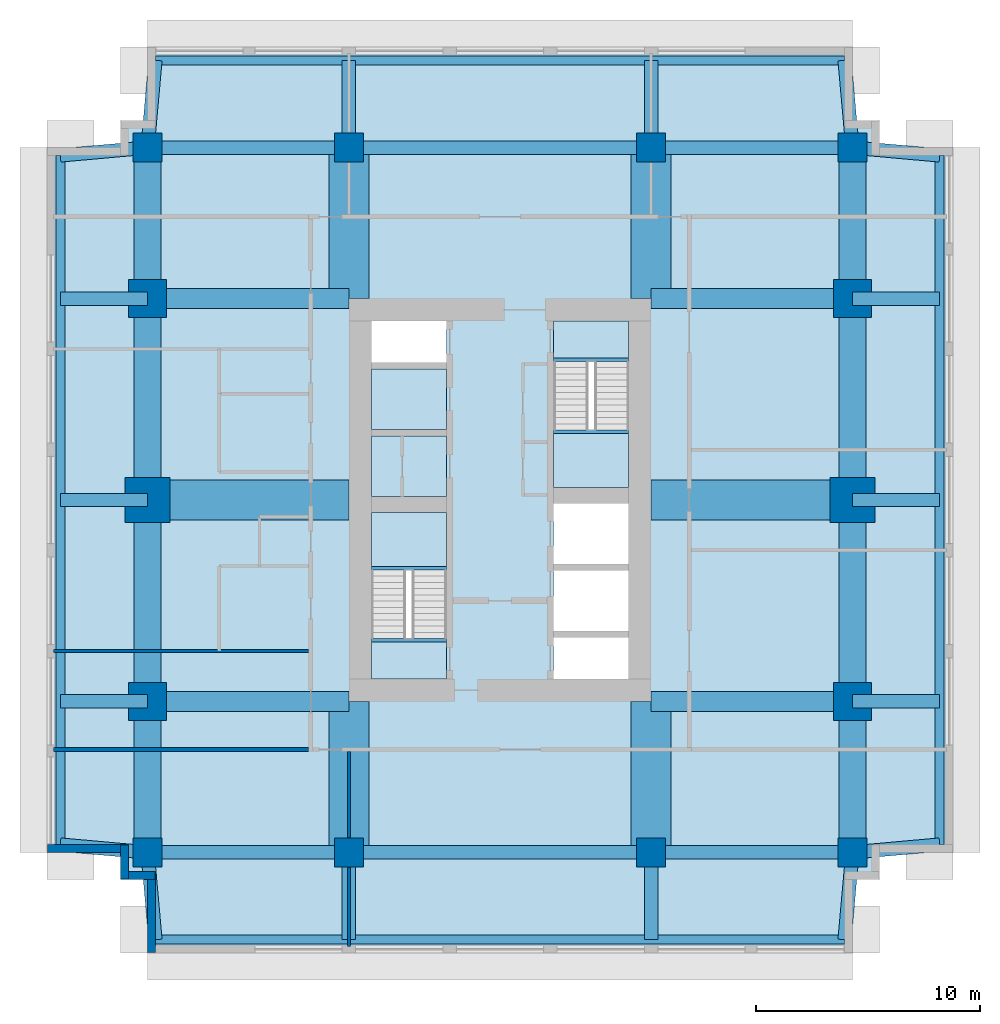
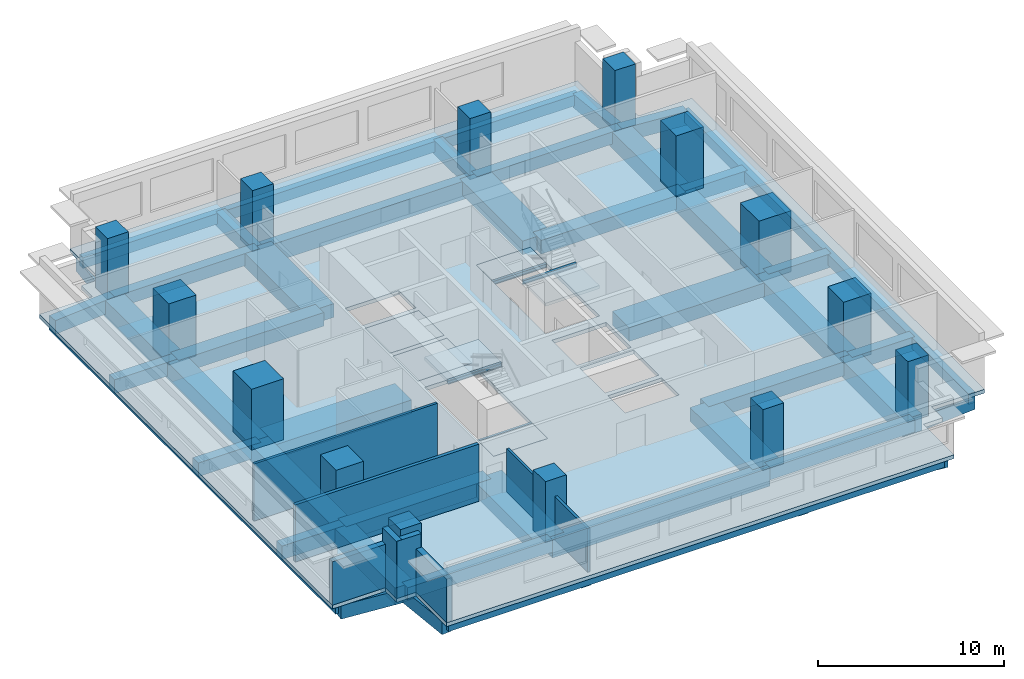
# One storey, part 1 of 5: 50 beams, 14 columns, 8 walls, 7 slabs, 2 elements without a shape of their own.
"""IFC4 building model written with IfcOpenShell, lengths in metres."""

from ifc_helpers import new_model, si_unit, direction, frame, frame_2d, origin, origin_2d, place, context, subcontext, project, spatial, polyline, rectangle, i_section, outline, extrude, material, layer, layer_set, material_profile, profile_set, type_object, element, aggregate, save


model = new_model("IFC4")

# Units and contexts
model_context = context("Model", 3, precision=1e-05, world=origin(), true_north=direction((0.0, 1.0)))
body_context = subcontext(model_context, "Body", "Model", "MODEL_VIEW")
ifc_project = project(units=[si_unit("LENGTHUNIT", "METRE"), si_unit("AREAUNIT", "SQUARE_METRE"), si_unit("VOLUMEUNIT", "CUBIC_METRE"), si_unit("PLANEANGLEUNIT", "RADIAN"), si_unit("MASSUNIT", "GRAM", prefix="KILO")], contexts=[model_context])

# Site, building, storey
site_placement = place(None, origin())
site = spatial("IfcSite", under=ifc_project, at=site_placement, CompositionType="ELEMENT")
building_placement = place(site_placement, origin())
building = spatial("IfcBuilding", under=site, at=building_placement, Name="Namib Vertical Campus", CompositionType="ELEMENT")
storey_placement = place(building_placement, frame((0.0, 0.0, 273.0)))
storey = spatial("IfcBuildingStorey", under=building, at=storey_placement, Name="L64", CompositionType="ELEMENT", Elevation=273.0)

# Columns
ifc_material_1 = material(Name="Concrete C60/75", Category="concrete")
ifc_material_profile_1 = material_profile(ifc_material_1, rectangle(XDim=1.300048828125, YDim=1.300048828125, at=origin_2d()))
ifc_profile_set_1 = profile_set([ifc_material_profile_1], Name="Concrete C60/75")
column_type_1 = type_object("IfcColumnType", Name="Column RC 1300x1300", PredefinedType="COLUMN", material=ifc_profile_set_1)
for number, where, z_axis, x_axis, name in (
    (1, (4.5, 4.5, 0.0), (0.0, 0.0, 1.0), (1.0, 0.0, 0.0), "Column C130 L64"),
    (2, (13.5, 4.5, 0.0), (0.0, 0.0, 1.0), (1.0, 0.0, 0.0), "Column C130 L64"),
    (3, (27.0, 4.5, 0.0), (0.0, 0.0, 1.0), (1.0, 0.0, 0.0), "Column C130 L64"),
    (4, (36.0, 4.5, 0.0), (0.0, 0.0, 1.0), (1.0, 0.0, 0.0), "Column C130 L64"),
    (5, (4.5, 36.0, 0.0), (0.0, 0.0, 1.0), (1.0, 0.0, 0.0), "Column C130 L64"),
    (6, (13.5, 36.0, 0.0), (0.0, 0.0, 1.0), (1.0, 0.0, 0.0), "Column C130 L64"),
    (7, (27.0, 36.0, 0.0), (0.0, 0.0, 1.0), (1.0, 0.0, 0.0), "Column C130 L64"),
    (8, (36.0, 36.0, 0.0), (0.0, 0.0, 1.0), (1.0, 0.0, 0.0), "Column C130 L64"),
):
    element("IfcColumn", number, at=place(storey_placement, frame(where, z_axis=z_axis, x_axis=x_axis)), inside=storey, type_object=column_type_1, Name=name, PredefinedType="COLUMN", context=body_context, shape_type="SweptSolid", body=[
        extrude(rectangle(XDim=1.300048828125, YDim=1.300048828125, at=origin_2d()), origin(), (0.0, 0.0, 1.0), 4.0),
    ])
ifc_material_2 = material(Name="Concrete C60/75", Category="concrete")
ifc_material_profile_2 = material_profile(ifc_material_2, rectangle(XDim=1.699951171875, YDim=1.699951171875, at=origin_2d()))
ifc_profile_set_2 = profile_set([ifc_material_profile_2], Name="Concrete C60/75")
column_type_2 = type_object("IfcColumnType", Name="Column RC 1700x1700", PredefinedType="COLUMN", material=ifc_profile_set_2)
for number, where, z_axis, x_axis, name in (
    (9, (4.5, 11.25, 0.0), (0.0, 0.0, 1.0), (1.0, 0.0, 0.0), "Column C170 L64"),
    (10, (36.0, 11.25, 0.0), (0.0, 0.0, 1.0), (1.0, 0.0, 0.0), "Column C170 L64"),
    (11, (4.5, 29.25, 0.0), (0.0, 0.0, 1.0), (1.0, 0.0, 0.0), "Column C170 L64"),
    (12, (36.0, 29.25, 0.0), (0.0, 0.0, 1.0), (1.0, 0.0, 0.0), "Column C170 L64"),
):
    element("IfcColumn", number, at=place(storey_placement, frame(where, z_axis=z_axis, x_axis=x_axis)), inside=storey, type_object=column_type_2, Name=name, PredefinedType="COLUMN", context=body_context, shape_type="SweptSolid", body=[
        extrude(rectangle(XDim=1.699951171875, YDim=1.699951171875, at=origin_2d()), origin(), (0.0, 0.0, 1.0), 4.0),
    ])
ifc_material_3 = material(Name="Concrete C60/75", Category="concrete")
ifc_material_profile_3 = material_profile(ifc_material_3, rectangle(XDim=2.0, YDim=2.0, at=origin_2d()))
ifc_profile_set_3 = profile_set([ifc_material_profile_3], Name="Concrete C60/75")
column_type_3 = type_object("IfcColumnType", Name="Column RC 2000x2000", PredefinedType="COLUMN", material=ifc_profile_set_3)
for number, where, z_axis, x_axis, name in (
    (13, (4.5, 20.25, 0.0), (0.0, 0.0, 1.0), (1.0, 0.0, 0.0), "Column C200 L64"),
    (14, (36.0, 20.25, 0.0), (0.0, 0.0, 1.0), (1.0, 0.0, 0.0), "Column C200 L64"),
):
    element("IfcColumn", number, at=place(storey_placement, frame(where, z_axis=z_axis, x_axis=x_axis)), inside=storey, type_object=column_type_3, Name=name, PredefinedType="COLUMN", context=body_context, shape_type="SweptSolid", body=[
        extrude(rectangle(XDim=2.0, YDim=2.0, at=origin_2d()), origin(), (0.0, 0.0, 1.0), 4.0),
    ])

# Beams
ifc_material_4 = material(Name="Concrete C40/50", Category="concrete")
ifc_material_profile_4 = material_profile(ifc_material_4, rectangle(XDim=0.60009765625, YDim=0.89990234375, at=origin_2d()))
ifc_profile_set_4 = profile_set([ifc_material_profile_4], Name="Concrete C40/50")
beam_type_1 = type_object("IfcBeamType", Name="Cantilever girder RC 600x900", PredefinedType="BEAM", material=ifc_profile_set_4)
beam_1_placement = place(storey_placement, frame((4.5, 4.5, -0.699951171875), z_axis=(0.089411326146, -0.995994786511, 0.0), x_axis=(0.995994786511, 0.089411326146, 0.0)))
element("IfcBeam", 15, at=beam_1_placement, inside=storey, type_object=beam_type_1, Name="Beam B3 L64", PredefinedType="BEAM", context=body_context, shape_type="SweptSolid", body=[
    extrude(rectangle(XDim=0.60009765625, YDim=0.89990234375, at=origin_2d()), origin(), (0.0, 0.0, 1.0), 3.91552734375),
])
for number, where, z_axis, x_axis, name in (
    (16, (13.5, 4.5, -0.699951171875), (0.0, -1.0, 0.0), (1.0, 0.0, 0.0), "Beam B3 L64"),
    (17, (27.0, 4.5, -0.699951171875), (0.0, -1.0, 0.0), (1.0, 0.0, 0.0), "Beam B3 L64"),
):
    element("IfcBeam", number, at=place(storey_placement, frame(where, z_axis=z_axis, x_axis=x_axis)), inside=storey, type_object=beam_type_1, Name=name, PredefinedType="BEAM", context=body_context, shape_type="SweptSolid", body=[
        extrude(rectangle(XDim=0.60009765625, YDim=0.89990234375, at=origin_2d()), origin(), (0.0, 0.0, 1.0), 3.89990234375),
    ])
for number, where, z_axis, x_axis, name in (
    (18, (36.0, 4.5, -0.699951171875), (-0.089411326146, -0.995994786511, 0.0), (0.995994786511, -0.089411326146, 0.0), "Beam B3 L64"),
    (19, (4.5, 36.0, -0.699951171875), (0.089411326146, 0.995994786511, 0.0), (-0.995994786511, 0.089411326146, 0.0), "Beam B3 L64"),
):
    element("IfcBeam", number, at=place(storey_placement, frame(where, z_axis=z_axis, x_axis=x_axis)), inside=storey, type_object=beam_type_1, Name=name, PredefinedType="BEAM", context=body_context, shape_type="SweptSolid", body=[
        extrude(rectangle(XDim=0.60009765625, YDim=0.89990234375, at=origin_2d()), origin(), (0.0, 0.0, 1.0), 3.91552734375),
    ])
for number, where, z_axis, x_axis, name in (
    (20, (13.5, 36.0, -0.699951171875), (0.0, 1.0, 0.0), (-1.0, 0.0, 0.0), "Beam B3 L64"),
    (21, (27.0, 36.0, -0.699951171875), (0.0, 1.0, 0.0), (-1.0, 0.0, 0.0), "Beam B3 L64"),
):
    element("IfcBeam", number, at=place(storey_placement, frame(where, z_axis=z_axis, x_axis=x_axis)), inside=storey, type_object=beam_type_1, Name=name, PredefinedType="BEAM", context=body_context, shape_type="SweptSolid", body=[
        extrude(rectangle(XDim=0.60009765625, YDim=0.89990234375, at=origin_2d()), origin(), (0.0, 0.0, 1.0), 3.89990234375),
    ])
for number, where, z_axis, x_axis, name in (
    (22, (36.0, 36.0, -0.699951171875), (-0.089411326146, 0.995994786511, 0.0), (-0.995994786511, -0.089411326146, 0.0), "Beam B3 L64"),
    (23, (4.5, 4.5, -0.699951171875), (-0.995994786511, 0.089411326146, 0.0), (-0.089411326146, -0.995994786511, 0.0), "Beam B3 L64"),
):
    element("IfcBeam", number, at=place(storey_placement, frame(where, z_axis=z_axis, x_axis=x_axis)), inside=storey, type_object=beam_type_1, Name=name, PredefinedType="BEAM", context=body_context, shape_type="SweptSolid", body=[
        extrude(rectangle(XDim=0.60009765625, YDim=0.89990234375, at=origin_2d()), origin(), (0.0, 0.0, 1.0), 3.91552734375),
    ])
for number, where, z_axis, x_axis, name in (
    (24, (4.5, 11.25, -0.699951171875), (-1.0, 0.0, 0.0), (0.0, -1.0, 0.0), "Beam B3 L64"),
    (25, (4.5, 20.25, -0.699951171875), (-1.0, 0.0, 0.0), (0.0, -1.0, 0.0), "Beam B3 L64"),
    (26, (4.5, 29.25, -0.699951171875), (-1.0, 0.0, 0.0), (0.0, -1.0, 0.0), "Beam B3 L64"),
):
    element("IfcBeam", number, at=place(storey_placement, frame(where, z_axis=z_axis, x_axis=x_axis)), inside=storey, type_object=beam_type_1, Name=name, PredefinedType="BEAM", context=body_context, shape_type="SweptSolid", body=[
        extrude(rectangle(XDim=0.60009765625, YDim=0.89990234375, at=origin_2d()), origin(), (0.0, 0.0, 1.0), 3.89990234375),
    ])
for number, where, z_axis, x_axis, name in (
    (27, (4.5, 36.0, -0.699951171875), (-0.995994786511, -0.089411326146, 0.0), (0.089411326146, -0.995994786511, 0.0), "Beam B3 L64"),
    (28, (36.0, 4.5, -0.699951171875), (0.995994786511, 0.089411326146, 0.0), (-0.089411326146, 0.995994786511, 0.0), "Beam B3 L64"),
):
    element("IfcBeam", number, at=place(storey_placement, frame(where, z_axis=z_axis, x_axis=x_axis)), inside=storey, type_object=beam_type_1, Name=name, PredefinedType="BEAM", context=body_context, shape_type="SweptSolid", body=[
        extrude(rectangle(XDim=0.60009765625, YDim=0.89990234375, at=origin_2d()), origin(), (0.0, 0.0, 1.0), 3.91552734375),
    ])
for number, where, z_axis, x_axis, name in (
    (29, (36.0, 11.25, -0.699951171875), (1.0, 0.0, 0.0), (0.0, 1.0, 0.0), "Beam B3 L64"),
    (30, (36.0, 20.25, -0.699951171875), (1.0, 0.0, 0.0), (0.0, 1.0, 0.0), "Beam B3 L64"),
    (31, (36.0, 29.25, -0.699951171875), (1.0, 0.0, 0.0), (0.0, 1.0, 0.0), "Beam B3 L64"),
):
    element("IfcBeam", number, at=place(storey_placement, frame(where, z_axis=z_axis, x_axis=x_axis)), inside=storey, type_object=beam_type_1, Name=name, PredefinedType="BEAM", context=body_context, shape_type="SweptSolid", body=[
        extrude(rectangle(XDim=0.60009765625, YDim=0.89990234375, at=origin_2d()), origin(), (0.0, 0.0, 1.0), 3.89990234375),
    ])
beam_2_placement = place(storey_placement, frame((36.0, 36.0, -0.699951171875), z_axis=(0.995994786511, -0.089411326146, 0.0), x_axis=(0.089411326146, 0.995994786511, 0.0)))
element("IfcBeam", 32, at=beam_2_placement, inside=storey, type_object=beam_type_1, Name="Beam B3 L64", PredefinedType="BEAM", context=body_context, shape_type="SweptSolid", body=[
    extrude(rectangle(XDim=0.60009765625, YDim=0.89990234375, at=origin_2d()), origin(), (0.0, 0.0, 1.0), 3.91552734375),
])
ifc_material_5 = material(Name="Concrete C40/50", Category="concrete")
ifc_material_profile_5 = material_profile(ifc_material_5, rectangle(XDim=0.39990234375, YDim=0.699951171875, at=origin_2d()))
ifc_profile_set_5 = profile_set([ifc_material_profile_5], Name="Concrete C40/50")
beam_type_2 = type_object("IfcBeamType", Name="Edge beam RC 400x700", PredefinedType="SPANDREL", material=ifc_profile_set_5)
for number, where, z_axis, x_axis, name in (
    (33, (4.85009765625, 0.60009765625, -0.60009765625), (1.0, 0.0, 0.0), (0.0, 1.0, 0.0), "Beam B4 L64"),
    (34, (4.85009765625, 39.89990234375, -0.60009765625), (1.0, 0.0, 0.0), (0.0, 1.0, 0.0), "Beam B4 L64"),
    (35, (0.60009765625, 4.85009765625, -0.60009765625), (0.0, 1.0, 0.0), (-1.0, 0.0, 0.0), "Beam B4 L64"),
    (36, (39.89990234375, 4.85009765625, -0.60009765625), (0.0, 1.0, 0.0), (-1.0, 0.0, 0.0), "Beam B4 L64"),
):
    element("IfcBeam", number, at=place(storey_placement, frame(where, z_axis=z_axis, x_axis=x_axis)), inside=storey, type_object=beam_type_2, Name=name, PredefinedType="SPANDREL", context=body_context, shape_type="SweptSolid", body=[
        extrude(rectangle(XDim=0.39990234375, YDim=0.699951171875, at=origin_2d()), origin(), (0.0, 0.0, 1.0), 30.7998046875),
    ])
ifc_material_6 = material(Name="Concrete C40/50", Category="concrete")
ifc_material_profile_6 = material_profile(ifc_material_6, rectangle(XDim=0.89990234375, YDim=0.89990234375, at=origin_2d()))
ifc_profile_set_6 = profile_set([ifc_material_profile_6], Name="Concrete C40/50")
beam_type_3 = type_object("IfcBeamType", Name="Face girder RC 900x900", PredefinedType="BEAM", material=ifc_profile_set_6)
for number, where, z_axis, x_axis, name in (
    (37, (4.5, 11.25, -0.699951171875), (1.0, 0.0, 0.0), (0.0, 1.0, 0.0), "Beam B10 L64"),
    (38, (36.0, 11.25, -0.699951171875), (-1.0, 0.0, 0.0), (0.0, -1.0, 0.0), "Beam B10 L64"),
    (39, (4.5, 29.25, -0.699951171875), (1.0, 0.0, 0.0), (0.0, 1.0, 0.0), "Beam B10 L64"),
    (40, (36.0, 29.25, -0.699951171875), (-1.0, 0.0, 0.0), (0.0, -1.0, 0.0), "Beam B10 L64"),
):
    element("IfcBeam", number, at=place(storey_placement, frame(where, z_axis=z_axis, x_axis=x_axis)), inside=storey, type_object=beam_type_3, Name=name, PredefinedType="BEAM", context=body_context, shape_type="SweptSolid", body=[
        extrude(rectangle(XDim=0.89990234375, YDim=0.89990234375, at=origin_2d()), origin(), (0.0, 0.0, 1.0), 9.0),
    ])
ifc_material_7 = material(Name="Concrete C40/50", Category="concrete")
ifc_material_profile_7 = material_profile(ifc_material_7, rectangle(XDim=1.199951171875, YDim=1.10009765625, at=origin_2d()))
ifc_profile_set_7 = profile_set([ifc_material_profile_7], Name="Concrete C40/50")
beam_type_4 = type_object("IfcBeamType", Name="Face ring beam RC 1200x1100", PredefinedType="BEAM", material=ifc_profile_set_7)
beam_3_placement = place(storey_placement, frame((4.5, 4.5, -0.800048828125), z_axis=(0.0, 1.0, 0.0), x_axis=(-1.0, 0.0, 0.0)))
element("IfcBeam", 41, at=beam_3_placement, inside=storey, type_object=beam_type_4, Name="Beam B11 L64", PredefinedType="BEAM", context=body_context, shape_type="SweptSolid", body=[
    extrude(rectangle(XDim=1.199951171875, YDim=1.10009765625, at=origin_2d()), origin(), (0.0, 0.0, 1.0), 6.75),
])
for number, where, z_axis, x_axis, name in (
    (42, (4.5, 11.25, -0.800048828125), (0.0, 1.0, 0.0), (-1.0, 0.0, 0.0), "Beam B11 L64"),
    (43, (4.5, 20.25, -0.800048828125), (0.0, 1.0, 0.0), (-1.0, 0.0, 0.0), "Beam B11 L64"),
):
    element("IfcBeam", number, at=place(storey_placement, frame(where, z_axis=z_axis, x_axis=x_axis)), inside=storey, type_object=beam_type_4, Name=name, PredefinedType="BEAM", context=body_context, shape_type="SweptSolid", body=[
        extrude(rectangle(XDim=1.199951171875, YDim=1.10009765625, at=origin_2d()), origin(), (0.0, 0.0, 1.0), 9.0),
    ])
for number, where, z_axis, x_axis, name in (
    (44, (4.5, 29.25, -0.800048828125), (0.0, 1.0, 0.0), (-1.0, 0.0, 0.0), "Beam B11 L64"),
    (45, (36.0, 4.5, -0.800048828125), (0.0, 1.0, 0.0), (-1.0, 0.0, 0.0), "Beam B11 L64"),
):
    element("IfcBeam", number, at=place(storey_placement, frame(where, z_axis=z_axis, x_axis=x_axis)), inside=storey, type_object=beam_type_4, Name=name, PredefinedType="BEAM", context=body_context, shape_type="SweptSolid", body=[
        extrude(rectangle(XDim=1.199951171875, YDim=1.10009765625, at=origin_2d()), origin(), (0.0, 0.0, 1.0), 6.75),
    ])
for number, where, z_axis, x_axis, name in (
    (46, (36.0, 11.25, -0.800048828125), (0.0, 1.0, 0.0), (-1.0, 0.0, 0.0), "Beam B11 L64"),
    (47, (36.0, 20.25, -0.800048828125), (0.0, 1.0, 0.0), (-1.0, 0.0, 0.0), "Beam B11 L64"),
):
    element("IfcBeam", number, at=place(storey_placement, frame(where, z_axis=z_axis, x_axis=x_axis)), inside=storey, type_object=beam_type_4, Name=name, PredefinedType="BEAM", context=body_context, shape_type="SweptSolid", body=[
        extrude(rectangle(XDim=1.199951171875, YDim=1.10009765625, at=origin_2d()), origin(), (0.0, 0.0, 1.0), 9.0),
    ])
beam_4_placement = place(storey_placement, frame((36.0, 29.25, -0.800048828125), z_axis=(0.0, 1.0, 0.0), x_axis=(-1.0, 0.0, 0.0)))
element("IfcBeam", 48, at=beam_4_placement, inside=storey, type_object=beam_type_4, Name="Beam B11 L64", PredefinedType="BEAM", context=body_context, shape_type="SweptSolid", body=[
    extrude(rectangle(XDim=1.199951171875, YDim=1.10009765625, at=origin_2d()), origin(), (0.0, 0.0, 1.0), 6.75),
])
ifc_material_8 = material(Name="Steel S355JR", Category="steel")
ifc_material_profile_8 = material_profile(ifc_material_8, i_section(OverallWidth=0.14599609375, OverallDepth=0.25146484375, WebThickness=0.006103515625, FlangeThickness=0.008544921875, FilletRadius=0.007568359375, at=origin_2d()))
ifc_profile_set_8 = profile_set([ifc_material_profile_8], Name="Steel S355JR")
beam_type_5 = type_object("IfcBeamType", Name="Landing trimmer UB 254x146x31", PredefinedType="BEAM", material=ifc_profile_set_8)
for number, where, z_axis, x_axis, name in (
    (49, (14.5, 13.97705078125, -0.125732421875), (1.0, 0.0, 0.0), (0.0, 1.0, 0.0), "Landing trimmer LT1 A-S1 L64 1"),
    (50, (14.5, 17.203125, 1.874267578125), (1.0, 0.0, 0.0), (0.0, 1.0, 0.0), "Landing trimmer LT1 A-S1 L64 2"),
    (51, (22.64990234375, 26.52294921875, -0.125732421875), (1.0, 0.0, 0.0), (0.0, 1.0, 0.0), "Landing trimmer LT1 A-S2 L64 1"),
    (52, (22.64990234375, 23.296875, 1.874267578125), (1.0, 0.0, 0.0), (0.0, 1.0, 0.0), "Landing trimmer LT1 A-S2 L64 2"),
):
    element("IfcBeam", number, at=place(storey_placement, frame(where, z_axis=z_axis, x_axis=x_axis)), inside=storey, type_object=beam_type_5, Name=name, PredefinedType="BEAM", context=body_context, shape_type="SweptSolid", body=[
        extrude(i_section(OverallWidth=0.14599609375, OverallDepth=0.25146484375, WebThickness=0.006103515625, FlangeThickness=0.008544921875, FilletRadius=0.007568359375, at=origin_2d()), origin(), (0.0, 0.0, 1.0), 3.35009765625),
    ])
ifc_material_9 = material(Name="Concrete C40/50", Category="concrete")
ifc_material_profile_9 = material_profile(ifc_material_9, rectangle(XDim=0.60009765625, YDim=1.199951171875, at=origin_2d()))
ifc_profile_set_9 = profile_set([ifc_material_profile_9], Name="Concrete C40/50")
beam_type_6 = type_object("IfcBeamType", Name="Long-span ring beam RC 600x1200", PredefinedType="BEAM", material=ifc_profile_set_9)
for number, where, z_axis, x_axis, name in (
    (53, (13.5, 4.5, -0.85009765625), (1.0, 0.0, 0.0), (0.0, 1.0, 0.0), "Beam B9 L64"),
    (54, (13.5, 36.0, -0.85009765625), (1.0, 0.0, 0.0), (0.0, 1.0, 0.0), "Beam B9 L64"),
):
    element("IfcBeam", number, at=place(storey_placement, frame(where, z_axis=z_axis, x_axis=x_axis)), inside=storey, type_object=beam_type_6, Name=name, PredefinedType="BEAM", context=body_context, shape_type="SweptSolid", body=[
        extrude(rectangle(XDim=0.60009765625, YDim=1.199951171875, at=origin_2d()), origin(), (0.0, 0.0, 1.0), 13.5),
    ])
ifc_material_10 = material(Name="Concrete C40/50", Category="concrete")
ifc_material_profile_10 = material_profile(ifc_material_10, rectangle(XDim=1.800048828125, YDim=0.89990234375, at=origin_2d()))
ifc_profile_set_10 = profile_set([ifc_material_profile_10], Name="Concrete C40/50")
beam_type_7 = type_object("IfcBeamType", Name="Outrigger line girder RC 1800x900", PredefinedType="BEAM", material=ifc_profile_set_10)
for number, where, z_axis, x_axis, name in (
    (55, (13.5, 4.5, -0.699951171875), (0.0, 1.0, 0.0), (-1.0, 0.0, 0.0), "Beam B12 L64"),
    (56, (13.5, 36.0, -0.699951171875), (0.0, -1.0, 0.0), (1.0, 0.0, 0.0), "Beam B12 L64"),
    (57, (27.0, 4.5, -0.699951171875), (0.0, 1.0, 0.0), (-1.0, 0.0, 0.0), "Beam B12 L64"),
    (58, (27.0, 36.0, -0.699951171875), (0.0, -1.0, 0.0), (1.0, 0.0, 0.0), "Beam B12 L64"),
):
    element("IfcBeam", number, at=place(storey_placement, frame(where, z_axis=z_axis, x_axis=x_axis)), inside=storey, type_object=beam_type_7, Name=name, PredefinedType="BEAM", context=body_context, shape_type="SweptSolid", body=[
        extrude(rectangle(XDim=1.800048828125, YDim=0.89990234375, at=origin_2d()), origin(), (0.0, 0.0, 1.0), 6.75),
    ])
for number, where, z_axis, x_axis, name in (
    (59, (4.5, 20.25, -0.699951171875), (1.0, 0.0, 0.0), (0.0, 1.0, 0.0), "Beam B12 L64"),
    (60, (36.0, 20.25, -0.699951171875), (-1.0, 0.0, 0.0), (0.0, -1.0, 0.0), "Beam B12 L64"),
):
    element("IfcBeam", number, at=place(storey_placement, frame(where, z_axis=z_axis, x_axis=x_axis)), inside=storey, type_object=beam_type_7, Name=name, PredefinedType="BEAM", context=body_context, shape_type="SweptSolid", body=[
        extrude(rectangle(XDim=1.800048828125, YDim=0.89990234375, at=origin_2d()), origin(), (0.0, 0.0, 1.0), 9.0),
    ])
ifc_material_11 = material(Name="Concrete C40/50", Category="concrete")
ifc_material_profile_11 = material_profile(ifc_material_11, rectangle(XDim=0.60009765625, YDim=0.800048828125, at=origin_2d()))
ifc_profile_set_11 = profile_set([ifc_material_profile_11], Name="Concrete C40/50")
beam_type_8 = type_object("IfcBeamType", Name="Ring beam RC 600x800", PredefinedType="BEAM", material=ifc_profile_set_11)
for number, where, z_axis, x_axis, name in (
    (61, (4.5, 4.5, -0.64990234375), (1.0, 0.0, 0.0), (0.0, 1.0, 0.0), "Beam B1 L64"),
    (62, (27.0, 4.5, -0.64990234375), (1.0, 0.0, 0.0), (0.0, 1.0, 0.0), "Beam B1 L64"),
    (63, (4.5, 36.0, -0.64990234375), (1.0, 0.0, 0.0), (0.0, 1.0, 0.0), "Beam B1 L64"),
    (64, (27.0, 36.0, -0.64990234375), (1.0, 0.0, 0.0), (0.0, 1.0, 0.0), "Beam B1 L64"),
):
    element("IfcBeam", number, at=place(storey_placement, frame(where, z_axis=z_axis, x_axis=x_axis)), inside=storey, type_object=beam_type_8, Name=name, PredefinedType="BEAM", context=body_context, shape_type="SweptSolid", body=[
        extrude(rectangle(XDim=0.60009765625, YDim=0.800048828125, at=origin_2d()), origin(), (0.0, 0.0, 1.0), 9.0),
    ])

# Slabs
ifc_material_12 = material(Name="Concrete C40/50", Category="concrete")
ifc_layer_1 = layer(ifc_material_12, 0.25)
ifc_layer_set_1 = layer_set([ifc_layer_1], Name="Concrete C40/50")
slab_type_1 = type_object("IfcSlabType", Name="Floor slab 250", PredefinedType="FLOOR", material=ifc_layer_set_1)
slab_1_placement = place(storey_placement, frame((0.0, 0.0, -0.25)))
element("IfcSlab", 65, at=slab_1_placement, inside=storey, type_object=slab_type_1, Name="Floor slab A L64", PredefinedType="FLOOR", context=body_context, shape_type="SweptSolid", body=[
    extrude(outline(polyline([(4.5, 0.0), (36.0, 0.0), (36.0, 3.300048828125), (37.199951171875, 3.300048828125), (37.199951171875, 4.5), (40.5, 4.5), (40.5, 36.0), (37.199951171875, 36.0), (37.199951171875, 37.199951171875), (36.0, 37.199951171875), (36.0, 40.5), (4.5, 40.5), (4.5, 37.199951171875), (3.300048828125, 37.199951171875), (3.300048828125, 36.0), (0.0, 36.0), (0.0, 4.5), (3.300048828125, 4.5), (3.300048828125, 3.300048828125), (4.5, 3.300048828125), (4.5, 0.0)]), holes=[polyline([(14.5, 12.25), (17.85009765625, 12.25), (17.85009765625, 19.699951171875), (14.5, 19.699951171875), (14.5, 12.25)]), polyline([(22.64990234375, 20.800048828125), (26.0, 20.800048828125), (26.0, 28.25), (22.64990234375, 28.25), (22.64990234375, 20.800048828125)]), polyline([(22.64990234375, 12.25), (26.0, 12.25), (26.0, 14.10009765625), (22.64990234375, 14.10009765625), (22.64990234375, 12.25)]), polyline([(14.5, 20.39990234375), (17.85009765625, 20.39990234375), (17.85009765625, 23.10009765625), (14.5, 23.10009765625), (14.5, 20.39990234375)]), polyline([(14.5, 23.39990234375), (17.85009765625, 23.39990234375), (17.85009765625, 26.10009765625), (14.5, 26.10009765625), (14.5, 23.39990234375)]), polyline([(14.5, 26.39990234375), (17.85009765625, 26.39990234375), (17.85009765625, 28.25), (14.5, 28.25), (14.5, 26.39990234375)]), polyline([(22.64990234375, 14.39990234375), (26.0, 14.39990234375), (26.0, 17.10009765625), (22.64990234375, 17.10009765625), (22.64990234375, 14.39990234375)]), polyline([(22.64990234375, 17.39990234375), (26.0, 17.39990234375), (26.0, 20.10009765625), (22.64990234375, 20.10009765625), (22.64990234375, 17.39990234375)])]), origin(), (0.0, 0.0, 1.0), 0.25),
])
ifc_material_13 = material(Name="Concrete C40/50 precast", Category="concrete")
ifc_layer_2 = layer(ifc_material_13, 0.25)
ifc_layer_set_2 = layer_set([ifc_layer_2], Name="Concrete C40/50 precast")
slab_type_2 = type_object("IfcSlabType", Name="Shaft infill floor 250", PredefinedType="FLOOR", material=ifc_layer_set_2)
slab_2_placement = place(storey_placement, frame((0.0, 0.0, -0.25)))
element("IfcSlab", 66, at=slab_2_placement, inside=storey, type_object=slab_type_2, Name="Shaft infill floor A L64 P1", PredefinedType="FLOOR", context=body_context, shape_type="SweptSolid", body=[
    extrude(outline(polyline([(14.5, 20.39990234375), (17.85009765625, 20.39990234375), (17.85009765625, 23.10009765625), (14.5, 23.10009765625), (14.5, 20.39990234375)])), origin(), (0.0, 0.0, 1.0), 0.25),
])
slab_3_placement = place(storey_placement, frame((0.0, 0.0, -0.25)))
element("IfcSlab", 67, at=slab_3_placement, inside=storey, type_object=slab_type_2, Name="Shaft infill floor A L64 P2", PredefinedType="FLOOR", context=body_context, shape_type="SweptSolid", body=[
    extrude(outline(polyline([(14.5, 23.39990234375), (17.85009765625, 23.39990234375), (17.85009765625, 26.10009765625), (14.5, 26.10009765625), (14.5, 23.39990234375)])), origin(), (0.0, 0.0, 1.0), 0.25),
])

# Stair, slabs
ifc_material_14 = material(Name="Concrete C40/50 precast", Category="concrete")
stair_type = type_object("IfcStairType", Name="Exit stair 4000 rise 24 risers 3350 wide", PredefinedType="HALF_TURN_STAIR", material=ifc_material_14)
stair_1_placement = place(storey_placement, origin())
stair_1 = element("IfcStair", 68, at=stair_1_placement, inside=storey, type_object=stair_type, Name="Exit stair A-S1 L64", PredefinedType="HALF_TURN_STAIR")
ifc_material_15 = material(Name="Concrete C40/50", Category="concrete")
ifc_layer_3 = layer(ifc_material_15, 0.199951171875)
ifc_layer_set_3 = layer_set([ifc_layer_3], Name="Concrete C40/50")
slab_type_3 = type_object("IfcSlabType", Name="Stair landing 200", PredefinedType="LANDING", material=ifc_layer_set_3)
slab_4_placement = place(storey_placement, frame((0.0, 0.0, -0.199951171875)))
slab_4 = element("IfcSlab", 69, at=slab_4_placement, type_object=slab_type_3, Name="A-S1 landing 1", PredefinedType="LANDING", context=body_context, shape_type="SweptSolid", body=[
    extrude(outline(polyline([(14.5, 12.25), (17.85009765625, 12.25), (17.85009765625, 13.90380859375), (14.5, 13.90380859375), (14.5, 12.25)])), origin(), (0.0, 0.0, 1.0), 0.199951171875),
])
slab_5_placement = place(storey_placement, frame((0.0, 0.0, 1.800048828125)))
slab_5 = element("IfcSlab", 70, at=slab_5_placement, type_object=slab_type_3, Name="A-S1 landing 2", PredefinedType="LANDING", context=body_context, shape_type="SweptSolid", body=[
    extrude(outline(polyline([(14.5, 17.276123046875), (17.85009765625, 17.276123046875), (17.85009765625, 19.699951171875), (14.5, 19.699951171875), (14.5, 17.276123046875)])), origin(), (0.0, 0.0, 1.0), 0.199951171875),
])
aggregate(stair_1, [slab_4, slab_5])

stair_2_placement = place(storey_placement, origin())
stair_2 = element("IfcStair", 71, at=stair_2_placement, inside=storey, type_object=stair_type, Name="Exit stair A-S2 L64", PredefinedType="HALF_TURN_STAIR")
slab_6_placement = place(storey_placement, frame((0.0, 0.0, -0.199951171875)))
slab_6 = element("IfcSlab", 72, at=slab_6_placement, type_object=slab_type_3, Name="A-S2 landing 1", PredefinedType="LANDING", context=body_context, shape_type="SweptSolid", body=[
    extrude(outline(polyline([(22.64990234375, 26.59619140625), (26.0, 26.59619140625), (26.0, 28.25), (22.64990234375, 28.25), (22.64990234375, 26.59619140625)])), origin(), (0.0, 0.0, 1.0), 0.199951171875),
])
slab_7_placement = place(storey_placement, frame((0.0, 0.0, 1.800048828125)))
slab_7 = element("IfcSlab", 73, at=slab_7_placement, type_object=slab_type_3, Name="A-S2 landing 2", PredefinedType="LANDING", context=body_context, shape_type="SweptSolid", body=[
    extrude(outline(polyline([(22.64990234375, 20.800048828125), (26.0, 20.800048828125), (26.0, 23.223876953125), (22.64990234375, 23.223876953125), (22.64990234375, 20.800048828125)])), origin(), (0.0, 0.0, 1.0), 0.199951171875),
])
aggregate(stair_2, [slab_6, slab_7])

# Walls
ifc_material_16 = material(Name="Concrete masonry", Category="masonry")
ifc_layer_4 = layer(ifc_material_16, 0.199951171875)
ifc_layer_set_4 = layer_set([ifc_layer_4], Name="Corridor wall 200")
wall_type_1 = type_object("IfcWallType", Name="Corridor wall 200", PredefinedType="SOLIDWALL", material=ifc_layer_set_4)
wall_1_placement = place(storey_placement, frame((0.300048828125, 9.10009765625, 0.0), z_axis=(0.0, 0.0, 1.0), x_axis=(1.0, 0.0, 0.0)))
element("IfcWall", 74, at=wall_1_placement, inside=storey, type_object=wall_type_1, Name="Partition A L64 BSW", PredefinedType="SOLIDWALL", context=body_context, shape_type="SweptSolid", body=[
    extrude(rectangle(XDim=11.39990234375, YDim=0.199951171875, at=frame_2d((5.699951171875, 0.0))), origin(), (0.0, 0.0, 1.0), 3.75),
])
ifc_material_17 = material(Name="Concrete C40/50", Category="concrete")
ifc_layer_5 = layer(ifc_material_17, 0.35009765625)
ifc_layer_set_5 = layer_set([ifc_layer_5], Name="Concrete C40/50")
wall_type_2 = type_object("IfcWallType", Name="External wall 350 bush-hammered concrete", PredefinedType="STANDARD", material=ifc_layer_set_5)
wall_2_placement = place(storey_placement, frame((0.02001953125, 4.675048828125, 0.0), z_axis=(0.0, 0.0, 1.0), x_axis=(1.0, 0.0, 0.0)))
element("IfcWall", 75, at=wall_2_placement, inside=storey, type_object=wall_type_2, Name="External wall L64 F17", PredefinedType="STANDARD", context=body_context, shape_type="SweptSolid", body=[
    extrude(rectangle(XDim=3.60986328125, YDim=0.35009765625, at=frame_2d((1.804931640625, 0.0))), origin(), (0.0, 0.0, 1.0), 2.85009765625),
])
for number, where, z_axis, x_axis, name in (
    (76, (3.47509765625, 4.830078125, 0.0), (0.0, 0.0, 1.0), (0.0, -1.0, 0.0), "External wall L64 F18"),
    (77, (3.320068359375, 3.47509765625, 0.0), (0.0, 0.0, 1.0), (1.0, 0.0, 0.0), "External wall L64 F19"),
):
    element("IfcWall", number, at=place(storey_placement, frame(where, z_axis=z_axis, x_axis=x_axis)), inside=storey, type_object=wall_type_2, Name=name, PredefinedType="STANDARD", context=body_context, shape_type="SweptSolid", body=[
        extrude(rectangle(XDim=1.510009765625, YDim=0.35009765625, at=frame_2d((0.7548828125, 0.0))), origin(), (0.0, 0.0, 1.0), 3.75),
    ])
wall_3_placement = place(storey_placement, frame((4.675048828125, 3.6298828125, 0.0), z_axis=(0.0, 0.0, 1.0), x_axis=(0.0, -1.0, 0.0)))
element("IfcWall", 78, at=wall_3_placement, inside=storey, type_object=wall_type_2, Name="External wall L64 F20", PredefinedType="STANDARD", context=body_context, shape_type="SweptSolid", body=[
    extrude(rectangle(XDim=3.60986328125, YDim=0.35009765625, at=frame_2d((1.804931640625, 0.0))), origin(), (0.0, 0.0, 1.0), 2.85009765625),
])
ifc_material_18 = material(Name="Gypsum board on steel studs", Category="steel")
ifc_layer_6 = layer(ifc_material_18, 0.14990234375)
ifc_layer_set_6 = layer_set([ifc_layer_6], Name="Gypsum board on steel studs")
wall_type_3 = type_object("IfcWallType", Name="Partition 150", PredefinedType="PARTITIONING", material=ifc_layer_set_6)
wall_4_placement = place(storey_placement, frame((13.5, 0.300048828125, 0.0), z_axis=(0.0, 0.0, 1.0), x_axis=(0.0, 1.0, 0.0)))
element("IfcWall", 79, at=wall_4_placement, inside=storey, type_object=wall_type_3, Name="Partition A L64 PS1", PredefinedType="PARTITIONING", context=body_context, shape_type="SweptSolid", body=[
    extrude(rectangle(XDim=3.530029296875, YDim=0.14990234375, at=frame_2d((1.76513671875, 0.0))), origin(), (0.0, 0.0, 1.0), 2.85009765625),
])
wall_5_placement = place(storey_placement, frame((13.5, 5.169921875, 0.0), z_axis=(0.0, 0.0, 1.0), x_axis=(0.0, 1.0, 0.0)))
element("IfcWall", 80, at=wall_5_placement, inside=storey, type_object=wall_type_3, Name="Partition A L64 PS1", PredefinedType="PARTITIONING", context=body_context, shape_type="SweptSolid", body=[
    extrude(rectangle(XDim=3.830078125, YDim=0.14990234375, at=frame_2d((1.9150390625, 0.0))), origin(), (0.0, 0.0, 1.0), 2.85009765625),
])
wall_6_placement = place(storey_placement, frame((0.300048828125, 13.5, 0.0), z_axis=(0.0, 0.0, 1.0), x_axis=(1.0, 0.0, 0.0)))
element("IfcWall", 81, at=wall_6_placement, inside=storey, type_object=wall_type_3, Name="Partition A L64 PW1", PredefinedType="PARTITIONING", context=body_context, shape_type="SweptSolid", body=[
    extrude(rectangle(XDim=11.39990234375, YDim=0.14990234375, at=frame_2d((5.699951171875, 0.0))), origin(), (0.0, 0.0, 1.0), 3.75),
])

save(model, "model.ifc")
